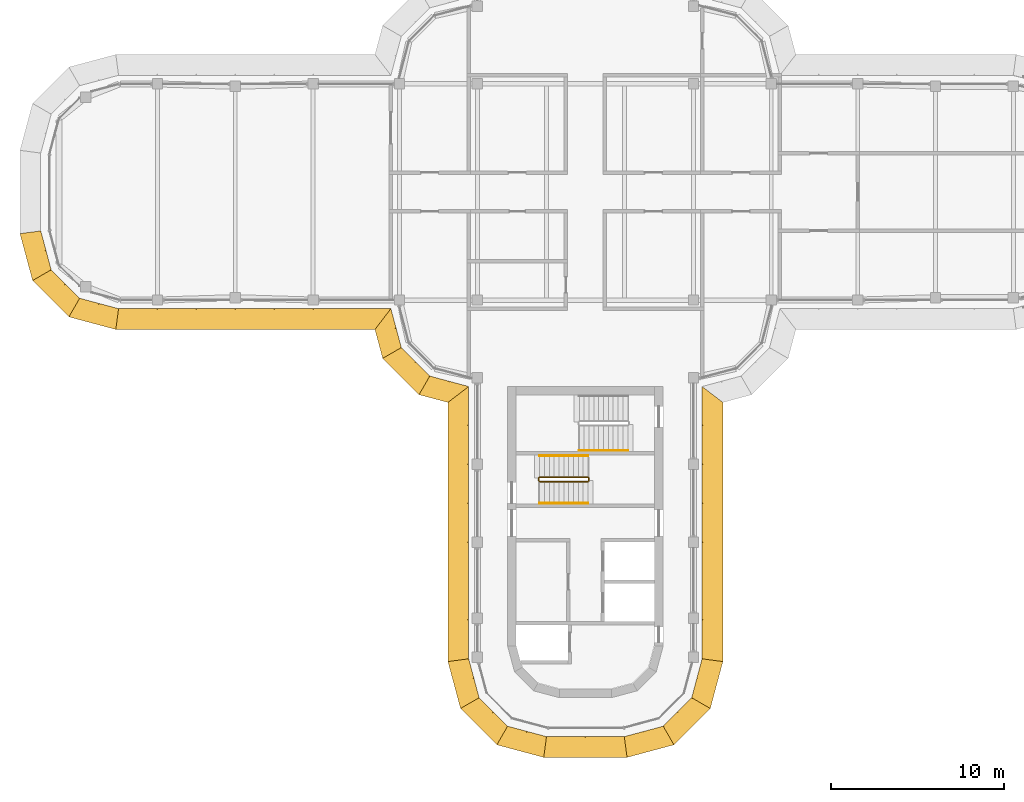
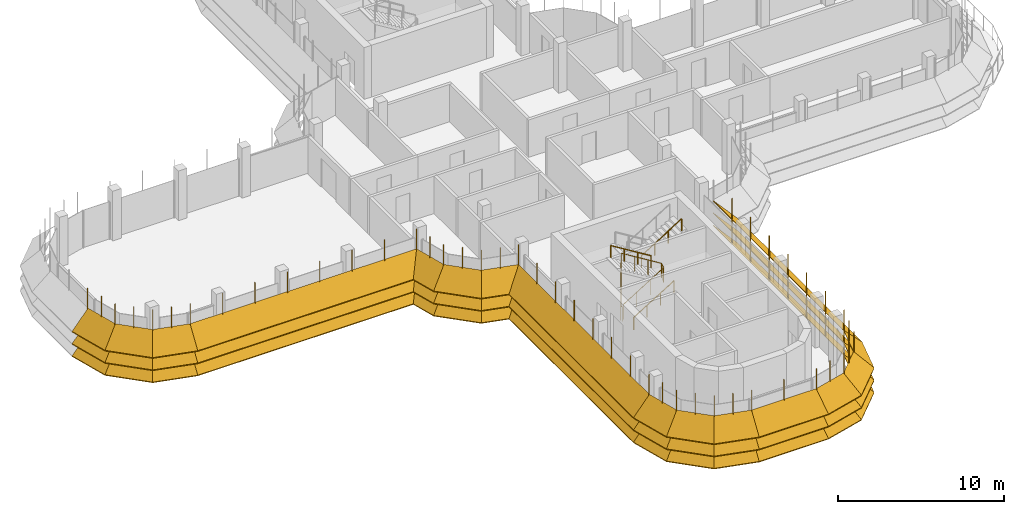
# One storey, part 17 of 20: 8 shading devices, 4 railings.
"""IFC4 building model written with IfcOpenShell, lengths in metres."""

from ifc_helpers import new_model, si_unit, direction, frame, origin, origin_2d, place, context, subcontext, project, spatial, polyline, circle, outline, extrude, faceted_brep, source, transform, mapped, material, type_object, element, save


model = new_model("IFC4")

# Units and contexts
model_context = context("Model", 3, precision=1e-05, world=origin(), true_north=direction((0.0, 1.0)))
body_context = subcontext(model_context, "Body", "Model", "MODEL_VIEW")
ifc_project = project(units=[si_unit("LENGTHUNIT", "METRE"), si_unit("AREAUNIT", "SQUARE_METRE"), si_unit("VOLUMEUNIT", "CUBIC_METRE"), si_unit("PLANEANGLEUNIT", "RADIAN"), si_unit("MASSUNIT", "GRAM", prefix="KILO")], contexts=[model_context])

# Site, building, storey
site_placement = place(None, origin())
site = spatial("IfcSite", under=ifc_project, at=site_placement, CompositionType="ELEMENT")
building_placement = place(site_placement, origin())
building = spatial("IfcBuilding", under=site, at=building_placement, Name="Zarbagh Exchange Tower", CompositionType="ELEMENT")
storey_placement = place(building_placement, frame((0.0, 0.0, 249.800048828125)))
storey = spatial("IfcBuildingStorey", under=building, at=storey_placement, Name="L61", CompositionType="ELEMENT", Elevation=249.800048828125)

# Railings
ifc_material_1 = material(Name="Stainless steel", Category="steel")
railing_type_1 = type_object("IfcRailingType", Name="Stair guard 1100 mm", PredefinedType="GUARDRAIL", material=ifc_material_1)
railing_1_placement = place(storey_placement, frame((-2.64990234375, -16.75, 0.172607421875)))
element("IfcRailing", 1, at=railing_1_placement, inside=storey, type_object=railing_type_1, Name="ST3 stair guard 1", PredefinedType="GUARDRAIL", context=body_context, shape_type="SweptSolid", body=[
    extrude(circle(Radius=0.02392578125, at=origin_2d()), frame((0.0, 0.0, 1.076171875), z_axis=(0.851069175582, 0.0, 0.525053576669), x_axis=(0.0, 1.0, 0.0)), (0.0, 0.0, 1.0), 3.289794921875),
    extrude(circle(Radius=0.02392578125, at=origin_2d()), frame((2.7998046875, 0.0, 2.80322265625), z_axis=(0.707106781187, 0.707106781187, 0.0), x_axis=(-0.707106781187, 0.707106781187, 0.0)), (0.0, 0.0, 1.0), 0.07080078125),
    extrude(circle(Radius=0.02392578125, at=origin_2d()), frame((2.849853515625, 0.050048828125, 2.80322265625), z_axis=(0.0, 1.0, 0.0), x_axis=(-1.0, 0.0, 0.0)), (0.0, 0.0, 1.0), 0.14990234375),
    extrude(circle(Radius=0.02392578125, at=origin_2d()), frame((2.849853515625, 0.199951171875, 2.80322265625), z_axis=(-0.267953482034, 0.267953482034, 0.925419830635), x_axis=(-0.707106781187, -0.707106781187, 0.0)), (0.0, 0.0, 1.0), 0.186767578125),
    extrude(circle(Radius=0.02392578125, at=origin_2d()), frame((2.7998046875, 0.25, 2.97607421875), z_axis=(-0.851069175582, 0.0, 0.525053576669), x_axis=(0.0, -1.0, 0.0)), (0.0, 0.0, 1.0), 3.289794921875),
    extrude(circle(Radius=0.02392578125, at=origin_2d()), frame((0.0, 0.25, 4.70361328125), z_axis=(-0.013168290981, -0.013168290981, -0.999826581076), x_axis=(0.707106781187, -0.707106781187, 0.0)), (0.0, 0.0, 1.0), 3.80078125),
    extrude(circle(Radius=0.02392578125, at=origin_2d()), frame((-0.050048828125, 0.199951171875, 0.9033203125), z_axis=(0.0, -1.0, 0.0), x_axis=(1.0, 0.0, 0.0)), (0.0, 0.0, 1.0), 0.14990234375),
    extrude(circle(Radius=0.02099609375, at=origin_2d()), origin(), (0.0, 0.0, 1.0), 1.052001953125),
    extrude(circle(Radius=0.02099609375, at=origin_2d()), frame((0.933349609375, 0.0, 0.57568359375)), (0.0, 0.0, 1.0), 1.052001953125),
    extrude(circle(Radius=0.02099609375, at=origin_2d()), frame((1.866455078125, 0.0, 1.151611328125)), (0.0, 0.0, 1.0), 1.052001953125),
    extrude(circle(Radius=0.02099609375, at=origin_2d()), frame((2.7998046875, 0.0, 1.727294921875)), (0.0, 0.0, 1.0), 1.052001953125),
    extrude(circle(Radius=0.02099609375, at=origin_2d()), frame((2.849853515625, 0.050048828125, 1.727294921875)), (0.0, 0.0, 1.0), 1.052001953125),
    extrude(circle(Radius=0.02099609375, at=origin_2d()), frame((2.849853515625, 0.199951171875, 1.727294921875)), (0.0, 0.0, 1.0), 1.052001953125),
    extrude(circle(Radius=0.02099609375, at=origin_2d()), frame((2.7998046875, 0.25, 1.900146484375)), (0.0, 0.0, 1.0), 1.052001953125),
    extrude(circle(Radius=0.02099609375, at=origin_2d()), frame((1.866455078125, 0.25, 2.475830078125)), (0.0, 0.0, 1.0), 1.052001953125),
    extrude(circle(Radius=0.02099609375, at=origin_2d()), frame((0.933349609375, 0.25, 3.0517578125)), (0.0, 0.0, 1.0), 1.052001953125),
    extrude(circle(Radius=0.02099609375, at=origin_2d()), frame((0.0, 0.25, 3.62744140625)), (0.0, 0.0, 1.0), 1.052001953125),
    extrude(circle(Radius=0.02099609375, at=origin_2d()), frame((-0.012451171875, 0.237548828125, 2.677490234375)), (0.0, 0.0, 1.0), 1.052001953125),
    extrude(circle(Radius=0.02099609375, at=origin_2d()), frame((-0.02490234375, 0.22509765625, 1.7275390625)), (0.0, 0.0, 1.0), 1.052001953125),
    extrude(circle(Radius=0.02099609375, at=origin_2d()), frame((-0.03759765625, 0.21240234375, 0.77734375)), (0.0, 0.0, 1.0), 1.052001953125),
    extrude(circle(Radius=0.02099609375, at=origin_2d()), frame((-0.050048828125, 0.199951171875, -0.172607421875)), (0.0, 0.0, 1.0), 1.052001953125),
    extrude(circle(Radius=0.02099609375, at=origin_2d()), frame((-0.050048828125, 0.050048828125, -0.172607421875)), (0.0, 0.0, 1.0), 1.052001953125),
])
railing_type_2 = type_object("IfcRailingType", Name="Stair handrail 900 mm", PredefinedType="HANDRAIL", material=ifc_material_1)
railing_2_placement = place(storey_placement, frame((-2.64990234375, -18.0, 0.172607421875)))
element("IfcRailing", 2, at=railing_2_placement, inside=storey, type_object=railing_type_2, Name="ST3 stair handrail 1", PredefinedType="HANDRAIL", context=body_context, shape_type="SweptSolid", body=[
    extrude(circle(Radius=0.02392578125, at=origin_2d()), frame((0.0, 0.0, 0.8759765625), z_axis=(0.851069175582, 0.0, 0.525053576669), x_axis=(0.0, 1.0, 0.0)), (0.0, 0.0, 1.0), 3.289794921875),
    extrude(circle(Radius=0.02099609375, at=origin_2d()), origin(), (0.0, 0.0, 1.0), 0.851806640625),
    extrude(circle(Radius=0.02099609375, at=origin_2d()), frame((0.933349609375, 0.0, 0.57568359375)), (0.0, 0.0, 1.0), 0.851806640625),
    extrude(circle(Radius=0.02099609375, at=origin_2d()), frame((1.866455078125, 0.0, 1.151611328125)), (0.0, 0.0, 1.0), 0.851806640625),
    extrude(circle(Radius=0.02099609375, at=origin_2d()), frame((2.7998046875, 0.0, 1.727294921875)), (0.0, 0.0, 1.0), 0.851806640625),
])
railing_3_placement = place(storey_placement, frame((0.14990234375, -15.25, 2.07275390625)))
element("IfcRailing", 3, at=railing_3_placement, inside=storey, type_object=railing_type_2, Name="ST3 stair handrail 2", PredefinedType="HANDRAIL", context=body_context, shape_type="SweptSolid", body=[
    extrude(circle(Radius=0.02392578125, at=origin_2d()), frame((0.0, 0.0, 0.8759765625), z_axis=(-0.851069175582, 0.0, 0.525053576669), x_axis=(0.0, -1.0, 0.0)), (0.0, 0.0, 1.0), 3.289794921875),
    extrude(circle(Radius=0.02099609375, at=origin_2d()), origin(), (0.0, 0.0, 1.0), 0.851806640625),
    extrude(circle(Radius=0.02099609375, at=origin_2d()), frame((-0.933349609375, 0.0, 0.57568359375)), (0.0, 0.0, 1.0), 0.851806640625),
    extrude(circle(Radius=0.02099609375, at=origin_2d()), frame((-1.866455078125, 0.0, 1.151611328125)), (0.0, 0.0, 1.0), 0.851806640625),
    extrude(circle(Radius=0.02099609375, at=origin_2d()), frame((-2.7998046875, 0.0, 1.727294921875)), (0.0, 0.0, 1.0), 0.851806640625),
])
railing_4_placement = place(storey_placement, frame((-0.35009765625, -14.949951171875, 2.07275390625)))
element("IfcRailing", 4, at=railing_4_placement, inside=storey, type_object=railing_type_2, Name="ST4 stair handrail 2", PredefinedType="HANDRAIL", context=body_context, shape_type="SweptSolid", body=[
    extrude(circle(Radius=0.02392578125, at=origin_2d()), frame((0.0, 0.0, 0.8759765625), z_axis=(0.851089632645, 0.0, 0.525020415988), x_axis=(0.0, 1.0, 0.0)), (0.0, 0.0, 1.0), 3.2900390625),
    extrude(circle(Radius=0.02099609375, at=origin_2d()), origin(), (0.0, 0.0, 1.0), 0.851806640625),
    extrude(circle(Radius=0.02099609375, at=origin_2d()), frame((0.933349609375, 0.0, 0.57568359375)), (0.0, 0.0, 1.0), 0.851806640625),
    extrude(circle(Radius=0.02099609375, at=origin_2d()), frame((1.86669921875, 0.0, 1.151611328125)), (0.0, 0.0, 1.0), 0.851806640625),
    extrude(circle(Radius=0.02099609375, at=origin_2d()), frame((2.800048828125, 0.0, 1.727294921875)), (0.0, 0.0, 1.0), 0.851806640625),
])

# Shading devices
ifc_material_2 = material(Name="Anodised aluminium blades and brackets", Category="aluminium")
shading_device_type = type_object("IfcShadingDeviceType", Name="SUNSHADE louvre band, 45 degree blades", PredefinedType="JALOUSIE", material=ifc_material_2)
shared_shape_1 = source(origin(), body_context, "Body", "Brep", [
    faceted_brep([(0.0, 0.0, 0.0), (0.0, 0.0, -0.056640625), (-0.157958984375, -1.199951171875, -1.256591796875), (-0.157958984375, -1.199951171875, -1.199951171875), (2.65087890625, -1.199951171875, -1.199951171875), (2.65087890625, -1.199951171875, -1.256591796875), (2.329345703125, 0.0, -0.056640625), (2.329345703125, 0.0, 0.0)], [[[0, 1, 2, 3]], [[4, 5, 6, 7]], [[0, 7, 6, 1]], [[1, 6, 5, 2]], [[2, 5, 4, 3]], [[3, 4, 7, 0]]]),
])
shared_shape_2 = source(origin(), body_context, "Body", "Brep", [
    faceted_brep([(0.0, 0.0, 0.0), (0.0, 0.0, -0.056640625), (-0.321533203125, -1.199951171875, -1.256591796875), (-0.321533203125, -1.199951171875, -1.199951171875), (2.65087890625, -1.199951171875, -1.199951171875), (2.65087890625, -1.199951171875, -1.256591796875), (2.329345703125, 0.0, -0.056640625), (2.329345703125, 0.0, 0.0)], [[[0, 1, 2, 3]], [[4, 5, 6, 7]], [[0, 7, 6, 1]], [[1, 6, 5, 2]], [[2, 5, 4, 3]], [[3, 4, 7, 0]]]),
])
shared_shape_3 = source(origin(), body_context, "Body", "Brep", [
    faceted_brep([(0.0, 0.0, 0.0), (0.0, 0.0, -0.056640625), (-0.321533203125, -1.199951171875, -1.256591796875), (-0.321533203125, -1.199951171875, -1.199951171875), (2.4873046875, -1.199951171875, -1.199951171875), (2.4873046875, -1.199951171875, -1.256591796875), (2.329345703125, 0.0, -0.056640625), (2.329345703125, 0.0, 0.0)], [[[0, 1, 2, 3]], [[4, 5, 6, 7]], [[0, 7, 6, 1]], [[1, 6, 5, 2]], [[2, 5, 4, 3]], [[3, 4, 7, 0]]]),
])
shared_shape_4 = source(origin(), body_context, "Body", "SweptSolid", [
    extrude(outline(polyline([(0.0, -0.012451171875), (0.06005859375, -0.012451171875), (0.06005859375, 0.012451171875), (0.0, 0.012451171875), (0.0, -0.012451171875)])), origin(), (0.0, 0.0, 1.0), 3.366455078125),
])
placement = place(storey_placement, origin())
element("IfcShadingDevice", 5, at=placement, inside=storey, type_object=shading_device_type, Name="SS35 sunshade band", PredefinedType="JALOUSIE", context=body_context, shape_type="MappedRepresentation", body=[
    mapped(shared_shape_1, transform((2.25, -31.5, 2.300048828125), x_axis=(0.965924289636, 0.258824779902, 0.0), y_axis=(-0.258824779902, 0.965924289636, 0.0), z_axis=(0.0, 0.0, 1.0))),
    mapped(shared_shape_1, transform((2.25, -31.5, 1.39990234375), x_axis=(0.965924289636, 0.258824779902, 0.0), y_axis=(-0.258824779902, 0.965924289636, 0.0), z_axis=(0.0, 0.0, 1.0))),
    mapped(shared_shape_1, transform((2.25, -31.5, 0.5), x_axis=(0.965924289636, 0.258824779902, 0.0), y_axis=(-0.258824779902, 0.965924289636, 0.0), z_axis=(0.0, 0.0, 1.0))),
    mapped(shared_shape_2, transform((4.5, -30.897216796875, 2.300048828125), x_axis=(0.707106781187, 0.707106781187, 0.0), y_axis=(-0.707106781187, 0.707106781187, 0.0), z_axis=(0.0, 0.0, 1.0))),
    mapped(shared_shape_2, transform((4.5, -30.897216796875, 1.39990234375), x_axis=(0.707106781187, 0.707106781187, 0.0), y_axis=(-0.707106781187, 0.707106781187, 0.0), z_axis=(0.0, 0.0, 1.0))),
    mapped(shared_shape_2, transform((4.5, -30.897216796875, 0.5), x_axis=(0.707106781187, 0.707106781187, 0.0), y_axis=(-0.707106781187, 0.707106781187, 0.0), z_axis=(0.0, 0.0, 1.0))),
    mapped(shared_shape_3, transform((6.147216796875, -29.25, 2.300048828125), x_axis=(0.258824779902, 0.965924289636, 0.0), y_axis=(-0.965924289636, 0.258824779902, 0.0), z_axis=(0.0, 0.0, 1.0))),
    mapped(shared_shape_3, transform((6.147216796875, -29.25, 1.39990234375), x_axis=(0.258824779902, 0.965924289636, 0.0), y_axis=(-0.965924289636, 0.258824779902, 0.0), z_axis=(0.0, 0.0, 1.0))),
    mapped(shared_shape_3, transform((6.147216796875, -29.25, 0.5), x_axis=(0.258824779902, 0.965924289636, 0.0), y_axis=(-0.965924289636, 0.258824779902, 0.0), z_axis=(0.0, 0.0, 1.0))),
    mapped(shared_shape_4, transform((2.25, -31.5, 0.413330078125), x_axis=(0.130529263012, -0.991444457092, 0.0), y_axis=(0.991444457092, 0.130529263012, 0.0), z_axis=(0.0, 0.0, 1.0))),
    mapped(shared_shape_4, transform((3.375, -31.198486328125, 0.413330078125), x_axis=(0.258825058029, -0.96592421511, 0.0), y_axis=(0.96592421511, 0.258825058029, 0.0), z_axis=(0.0, 0.0, 1.0))),
    mapped(shared_shape_4, transform((4.5, -30.897216796875, 0.413330078125), x_axis=(0.50000275701, -0.866023812018, 0.0), y_axis=(0.866023812018, 0.50000275701, 0.0), z_axis=(0.0, 0.0, 1.0))),
    mapped(shared_shape_4, transform((5.323486328125, -30.073486328125, 0.413330078125), x_axis=(0.707106781187, -0.707106781187, 0.0), y_axis=(0.707106781187, 0.707106781187, 0.0), z_axis=(0.0, 0.0, 1.0))),
    mapped(shared_shape_4, transform((6.147216796875, -29.25, 0.413330078125), x_axis=(0.866023812018, -0.50000275701, 0.0), y_axis=(0.50000275701, 0.866023812018, 0.0), z_axis=(0.0, 0.0, 1.0))),
    mapped(shared_shape_4, transform((6.448486328125, -28.125, 0.413330078125), x_axis=(0.96592421511, -0.258825058029, 0.0), y_axis=(0.258825058029, 0.96592421511, 0.0), z_axis=(0.0, 0.0, 1.0))),
])
element("IfcShadingDevice", 6, at=placement, inside=storey, type_object=shading_device_type, Name="SS43 sunshade band", PredefinedType="JALOUSIE", context=body_context, shape_type="MappedRepresentation", body=[
    mapped(shared_shape_1, transform((-31.5, -2.25, 2.300048828125), x_axis=(0.258824779902, -0.965924289636, 0.0), y_axis=(0.965924289636, 0.258824779902, 0.0), z_axis=(0.0, 0.0, 1.0))),
    mapped(shared_shape_1, transform((-31.5, -2.25, 1.39990234375), x_axis=(0.258824779902, -0.965924289636, 0.0), y_axis=(0.965924289636, 0.258824779902, 0.0), z_axis=(0.0, 0.0, 1.0))),
    mapped(shared_shape_1, transform((-31.5, -2.25, 0.5), x_axis=(0.258824779902, -0.965924289636, 0.0), y_axis=(0.965924289636, 0.258824779902, 0.0), z_axis=(0.0, 0.0, 1.0))),
    mapped(shared_shape_2, transform((-30.897216796875, -4.5, 2.300048828125), x_axis=(0.707106781187, -0.707106781187, 0.0), y_axis=(0.707106781187, 0.707106781187, 0.0), z_axis=(0.0, 0.0, 1.0))),
    mapped(shared_shape_2, transform((-30.897216796875, -4.5, 1.39990234375), x_axis=(0.707106781187, -0.707106781187, 0.0), y_axis=(0.707106781187, 0.707106781187, 0.0), z_axis=(0.0, 0.0, 1.0))),
    mapped(shared_shape_2, transform((-30.897216796875, -4.5, 0.5), x_axis=(0.707106781187, -0.707106781187, 0.0), y_axis=(0.707106781187, 0.707106781187, 0.0), z_axis=(0.0, 0.0, 1.0))),
    mapped(shared_shape_3, transform((-29.25, -6.147216796875, 2.300048828125), x_axis=(0.965924289636, -0.258824779902, 0.0), y_axis=(0.258824779902, 0.965924289636, 0.0), z_axis=(0.0, 0.0, 1.0))),
    mapped(shared_shape_3, transform((-29.25, -6.147216796875, 1.39990234375), x_axis=(0.965924289636, -0.258824779902, 0.0), y_axis=(0.258824779902, 0.965924289636, 0.0), z_axis=(0.0, 0.0, 1.0))),
    mapped(shared_shape_3, transform((-29.25, -6.147216796875, 0.5), x_axis=(0.965924289636, -0.258824779902, 0.0), y_axis=(0.258824779902, 0.965924289636, 0.0), z_axis=(0.0, 0.0, 1.0))),
    mapped(shared_shape_4, transform((-31.5, -2.25, 0.413330078125), x_axis=(-0.991444457092, -0.130529263012, 0.0), y_axis=(0.130529263012, -0.991444457092, 0.0), z_axis=(0.0, 0.0, 1.0))),
    mapped(shared_shape_4, transform((-31.198486328125, -3.375, 0.413330078125), x_axis=(-0.96592421511, -0.258825058029, 0.0), y_axis=(0.258825058029, -0.96592421511, 0.0), z_axis=(0.0, 0.0, 1.0))),
    mapped(shared_shape_4, transform((-30.897216796875, -4.5, 0.413330078125), x_axis=(-0.866023812018, -0.50000275701, 0.0), y_axis=(0.50000275701, -0.866023812018, 0.0), z_axis=(0.0, 0.0, 1.0))),
    mapped(shared_shape_4, transform((-30.073486328125, -5.323486328125, 0.413330078125), x_axis=(-0.707106781187, -0.707106781187, 0.0), y_axis=(0.707106781187, -0.707106781187, 0.0), z_axis=(0.0, 0.0, 1.0))),
    mapped(shared_shape_4, transform((-29.25, -6.147216796875, 0.413330078125), x_axis=(-0.50000275701, -0.866023812018, 0.0), y_axis=(0.866023812018, -0.50000275701, 0.0), z_axis=(0.0, 0.0, 1.0))),
    mapped(shared_shape_4, transform((-28.125, -6.448486328125, 0.413330078125), x_axis=(-0.258825058029, -0.96592421511, 0.0), y_axis=(0.96592421511, -0.258825058029, 0.0), z_axis=(0.0, 0.0, 1.0))),
])
element("IfcShadingDevice", 7, at=placement, inside=storey, type_object=shading_device_type, Name="SS38 sunshade band", PredefinedType="JALOUSIE", context=body_context, shape_type="MappedRepresentation", body=[
    mapped(shared_shape_1, transform((-6.75, -27.0, 2.300048828125), x_axis=(0.258824779902, -0.965924289636, 0.0), y_axis=(0.965924289636, 0.258824779902, 0.0), z_axis=(0.0, 0.0, 1.0))),
    mapped(shared_shape_1, transform((-6.75, -27.0, 1.39990234375), x_axis=(0.258824779902, -0.965924289636, 0.0), y_axis=(0.965924289636, 0.258824779902, 0.0), z_axis=(0.0, 0.0, 1.0))),
    mapped(shared_shape_1, transform((-6.75, -27.0, 0.5), x_axis=(0.258824779902, -0.965924289636, 0.0), y_axis=(0.965924289636, 0.258824779902, 0.0), z_axis=(0.0, 0.0, 1.0))),
    mapped(shared_shape_2, transform((-6.147216796875, -29.25, 2.300048828125), x_axis=(0.707106781187, -0.707106781187, 0.0), y_axis=(0.707106781187, 0.707106781187, 0.0), z_axis=(0.0, 0.0, 1.0))),
    mapped(shared_shape_2, transform((-6.147216796875, -29.25, 1.39990234375), x_axis=(0.707106781187, -0.707106781187, 0.0), y_axis=(0.707106781187, 0.707106781187, 0.0), z_axis=(0.0, 0.0, 1.0))),
    mapped(shared_shape_2, transform((-6.147216796875, -29.25, 0.5), x_axis=(0.707106781187, -0.707106781187, 0.0), y_axis=(0.707106781187, 0.707106781187, 0.0), z_axis=(0.0, 0.0, 1.0))),
    mapped(shared_shape_3, transform((-4.5, -30.897216796875, 2.300048828125), x_axis=(0.965924289636, -0.258824779902, 0.0), y_axis=(0.258824779902, 0.965924289636, 0.0), z_axis=(0.0, 0.0, 1.0))),
    mapped(shared_shape_3, transform((-4.5, -30.897216796875, 1.39990234375), x_axis=(0.965924289636, -0.258824779902, 0.0), y_axis=(0.258824779902, 0.965924289636, 0.0), z_axis=(0.0, 0.0, 1.0))),
    mapped(shared_shape_3, transform((-4.5, -30.897216796875, 0.5), x_axis=(0.965924289636, -0.258824779902, 0.0), y_axis=(0.258824779902, 0.965924289636, 0.0), z_axis=(0.0, 0.0, 1.0))),
    mapped(shared_shape_4, transform((-6.75, -27.0, 0.413330078125), x_axis=(-0.991444457092, -0.130529263012, 0.0), y_axis=(0.130529263012, -0.991444457092, 0.0), z_axis=(0.0, 0.0, 1.0))),
    mapped(shared_shape_4, transform((-6.448486328125, -28.125, 0.413330078125), x_axis=(-0.96592421511, -0.258825058029, 0.0), y_axis=(0.258825058029, -0.96592421511, 0.0), z_axis=(0.0, 0.0, 1.0))),
    mapped(shared_shape_4, transform((-6.147216796875, -29.25, 0.413330078125), x_axis=(-0.866023812018, -0.50000275701, 0.0), y_axis=(0.50000275701, -0.866023812018, 0.0), z_axis=(0.0, 0.0, 1.0))),
    mapped(shared_shape_4, transform((-5.323486328125, -30.073486328125, 0.413330078125), x_axis=(-0.707106781187, -0.707106781187, 0.0), y_axis=(0.707106781187, -0.707106781187, 0.0), z_axis=(0.0, 0.0, 1.0))),
    mapped(shared_shape_4, transform((-4.5, -30.897216796875, 0.413330078125), x_axis=(-0.50000275701, -0.866023812018, 0.0), y_axis=(0.866023812018, -0.50000275701, 0.0), z_axis=(0.0, 0.0, 1.0))),
    mapped(shared_shape_4, transform((-3.375, -31.198486328125, 0.413330078125), x_axis=(-0.258825058029, -0.96592421511, 0.0), y_axis=(0.96592421511, -0.258825058029, 0.0), z_axis=(0.0, 0.0, 1.0))),
])
shared_shape_5 = source(origin(), body_context, "Body", "Brep", [
    faceted_brep([(0.0, 0.0, 0.0), (0.0, 0.0, -0.056640625), (0.9208984375, -1.199951171875, -1.256591796875), (0.9208984375, -1.199951171875, -1.199951171875), (2.65087890625, -1.199951171875, -1.199951171875), (2.65087890625, -1.199951171875, -1.256591796875), (2.329345703125, 0.0, -0.056640625), (2.329345703125, 0.0, 0.0)], [[[0, 1, 2, 3]], [[4, 5, 6, 7]], [[0, 7, 6, 1]], [[1, 6, 5, 2]], [[2, 5, 4, 3]], [[3, 4, 7, 0]]]),
])
shared_shape_6 = source(origin(), body_context, "Body", "Brep", [
    faceted_brep([(0.0, 0.0, 0.0), (0.0, 0.0, -0.056640625), (-0.321533203125, -1.199951171875, -1.256591796875), (-0.321533203125, -1.199951171875, -1.199951171875), (1.40869140625, -1.199951171875, -1.199951171875), (1.40869140625, -1.199951171875, -1.256591796875), (2.329345703125, 0.0, -0.056640625), (2.329345703125, 0.0, 0.0)], [[[0, 1, 2, 3]], [[4, 5, 6, 7]], [[0, 7, 6, 1]], [[1, 6, 5, 2]], [[2, 5, 4, 3]], [[3, 4, 7, 0]]]),
])
element("IfcShadingDevice", 8, at=placement, inside=storey, type_object=shading_device_type, Name="SS21 sunshade band", PredefinedType="JALOUSIE", context=body_context, shape_type="MappedRepresentation", body=[
    mapped(shared_shape_5, transform((-11.25, -6.75, 2.300048828125), x_axis=(0.258824779902, -0.965924289636, 0.0), y_axis=(0.965924289636, 0.258824779902, 0.0), z_axis=(0.0, 0.0, 1.0))),
    mapped(shared_shape_5, transform((-11.25, -6.75, 1.39990234375), x_axis=(0.258824779902, -0.965924289636, 0.0), y_axis=(0.965924289636, 0.258824779902, 0.0), z_axis=(0.0, 0.0, 1.0))),
    mapped(shared_shape_5, transform((-11.25, -6.75, 0.5), x_axis=(0.258824779902, -0.965924289636, 0.0), y_axis=(0.965924289636, 0.258824779902, 0.0), z_axis=(0.0, 0.0, 1.0))),
    mapped(shared_shape_2, transform((-10.647216796875, -9.0, 2.300048828125), x_axis=(0.707106781187, -0.707106781187, 0.0), y_axis=(0.707106781187, 0.707106781187, 0.0), z_axis=(0.0, 0.0, 1.0))),
    mapped(shared_shape_2, transform((-10.647216796875, -9.0, 1.39990234375), x_axis=(0.707106781187, -0.707106781187, 0.0), y_axis=(0.707106781187, 0.707106781187, 0.0), z_axis=(0.0, 0.0, 1.0))),
    mapped(shared_shape_2, transform((-10.647216796875, -9.0, 0.5), x_axis=(0.707106781187, -0.707106781187, 0.0), y_axis=(0.707106781187, 0.707106781187, 0.0), z_axis=(0.0, 0.0, 1.0))),
    mapped(shared_shape_6, transform((-9.0, -10.647216796875, 2.300048828125), x_axis=(0.965924289636, -0.258824779902, 0.0), y_axis=(0.258824779902, 0.965924289636, 0.0), z_axis=(0.0, 0.0, 1.0))),
    mapped(shared_shape_6, transform((-9.0, -10.647216796875, 1.39990234375), x_axis=(0.965924289636, -0.258824779902, 0.0), y_axis=(0.258824779902, 0.965924289636, 0.0), z_axis=(0.0, 0.0, 1.0))),
    mapped(shared_shape_6, transform((-9.0, -10.647216796875, 0.5), x_axis=(0.965924289636, -0.258824779902, 0.0), y_axis=(0.258824779902, 0.965924289636, 0.0), z_axis=(0.0, 0.0, 1.0))),
    mapped(shared_shape_4, transform((-11.25, -6.75, 0.413330078125), x_axis=(-0.608758892, -0.793355287, 0.0), y_axis=(0.793355287, -0.608758892, 0.0), z_axis=(0.0, 0.0, 1.0))),
    mapped(shared_shape_4, transform((-10.948486328125, -7.875, 0.413330078125), x_axis=(-0.96592421511, -0.258825058029, 0.0), y_axis=(0.258825058029, -0.96592421511, 0.0), z_axis=(0.0, 0.0, 1.0))),
    mapped(shared_shape_4, transform((-10.647216796875, -9.0, 0.413330078125), x_axis=(-0.866023812018, -0.50000275701, 0.0), y_axis=(0.50000275701, -0.866023812018, 0.0), z_axis=(0.0, 0.0, 1.0))),
    mapped(shared_shape_4, transform((-9.823486328125, -9.823486328125, 0.413330078125), x_axis=(-0.707106781187, -0.707106781187, 0.0), y_axis=(0.707106781187, -0.707106781187, 0.0), z_axis=(0.0, 0.0, 1.0))),
    mapped(shared_shape_4, transform((-9.0, -10.647216796875, 0.413330078125), x_axis=(-0.50000275701, -0.866023812018, 0.0), y_axis=(0.866023812018, -0.50000275701, 0.0), z_axis=(0.0, 0.0, 1.0))),
    mapped(shared_shape_4, transform((-7.875, -10.948486328125, 0.413330078125), x_axis=(-0.258825058029, -0.96592421511, 0.0), y_axis=(0.96592421511, -0.258825058029, 0.0), z_axis=(0.0, 0.0, 1.0))),
])
shared_shape_7 = source(origin(), body_context, "Body", "Brep", [
    faceted_brep([(0.0, 0.0, 0.0), (0.0, 0.0, -0.056640625), (-0.157958984375, -1.199951171875, -1.256591796875), (-0.157958984375, -1.199951171875, -1.199951171875), (14.8291015625, -1.199951171875, -1.199951171875), (14.8291015625, -1.199951171875, -1.256591796875), (15.75, 0.0, -0.056640625), (15.75, 0.0, 0.0)], [[[0, 1, 2, 3]], [[4, 5, 6, 7]], [[0, 7, 6, 1]], [[1, 6, 5, 2]], [[2, 5, 4, 3]], [[3, 4, 7, 0]]]),
])
element("IfcShadingDevice", 9, at=placement, inside=storey, type_object=shading_device_type, Name="SS36 sunshade band", PredefinedType="JALOUSIE", context=body_context, shape_type="MappedRepresentation", body=[
    mapped(shared_shape_7, transform((6.75, -27.0, 2.300048828125), x_axis=(0.0, 1.0, 0.0), y_axis=(-1.0, 0.0, 0.0), z_axis=(0.0, 0.0, 1.0))),
    mapped(shared_shape_7, transform((6.75, -27.0, 1.39990234375), x_axis=(0.0, 1.0, 0.0), y_axis=(-1.0, 0.0, 0.0), z_axis=(0.0, 0.0, 1.0))),
    mapped(shared_shape_7, transform((6.75, -27.0, 0.5), x_axis=(0.0, 1.0, 0.0), y_axis=(-1.0, 0.0, 0.0), z_axis=(0.0, 0.0, 1.0))),
    mapped(shared_shape_4, transform((6.75, -27.0, 0.413330078125), x_axis=(0.991444457092, -0.130529263012, 0.0), y_axis=(0.130529263012, 0.991444457092, 0.0), z_axis=(0.0, 0.0, 1.0))),
    mapped(shared_shape_4, transform((6.75, -24.75, 0.413330078125), x_axis=(1.0, 0.0, 0.0), y_axis=(0.0, 1.0, 0.0), z_axis=(0.0, 0.0, 1.0))),
    mapped(shared_shape_4, transform((6.75, -22.5, 0.413330078125), x_axis=(1.0, 0.0, 0.0), y_axis=(0.0, 1.0, 0.0), z_axis=(0.0, 0.0, 1.0))),
    mapped(shared_shape_4, transform((6.75, -20.25, 0.413330078125), x_axis=(1.0, 0.0, 0.0), y_axis=(0.0, 1.0, 0.0), z_axis=(0.0, 0.0, 1.0))),
    mapped(shared_shape_4, transform((6.75, -18.0, 0.413330078125), x_axis=(1.0, 0.0, 0.0), y_axis=(0.0, 1.0, 0.0), z_axis=(0.0, 0.0, 1.0))),
    mapped(shared_shape_4, transform((6.75, -15.75, 0.413330078125), x_axis=(1.0, 0.0, 0.0), y_axis=(0.0, 1.0, 0.0), z_axis=(0.0, 0.0, 1.0))),
    mapped(shared_shape_4, transform((6.75, -13.5, 0.413330078125), x_axis=(1.0, 0.0, 0.0), y_axis=(0.0, 1.0, 0.0), z_axis=(0.0, 0.0, 1.0))),
])
element("IfcShadingDevice", 10, at=placement, inside=storey, type_object=shading_device_type, Name="SS44 sunshade band", PredefinedType="JALOUSIE", context=body_context, shape_type="MappedRepresentation", body=[
    mapped(shared_shape_7, transform((-27.0, -6.75, 2.300048828125), x_axis=(1.0, 0.0, 0.0), y_axis=(0.0, 1.0, 0.0), z_axis=(0.0, 0.0, 1.0))),
    mapped(shared_shape_7, transform((-27.0, -6.75, 1.39990234375), x_axis=(1.0, 0.0, 0.0), y_axis=(0.0, 1.0, 0.0), z_axis=(0.0, 0.0, 1.0))),
    mapped(shared_shape_7, transform((-27.0, -6.75, 0.5), x_axis=(1.0, 0.0, 0.0), y_axis=(0.0, 1.0, 0.0), z_axis=(0.0, 0.0, 1.0))),
    mapped(shared_shape_4, transform((-27.0, -6.75, 0.413330078125), x_axis=(-0.130529263012, -0.991444457092, 0.0), y_axis=(0.991444457092, -0.130529263012, 0.0), z_axis=(0.0, 0.0, 1.0))),
    mapped(shared_shape_4, transform((-24.75, -6.75, 0.413330078125), x_axis=(0.0, -1.0, 0.0), y_axis=(1.0, 0.0, 0.0), z_axis=(0.0, 0.0, 1.0))),
    mapped(shared_shape_4, transform((-22.5, -6.75, 0.413330078125), x_axis=(0.0, -1.0, 0.0), y_axis=(1.0, 0.0, 0.0), z_axis=(0.0, 0.0, 1.0))),
    mapped(shared_shape_4, transform((-20.25, -6.75, 0.413330078125), x_axis=(0.0, -1.0, 0.0), y_axis=(1.0, 0.0, 0.0), z_axis=(0.0, 0.0, 1.0))),
    mapped(shared_shape_4, transform((-18.0, -6.75, 0.413330078125), x_axis=(0.0, -1.0, 0.0), y_axis=(1.0, 0.0, 0.0), z_axis=(0.0, 0.0, 1.0))),
    mapped(shared_shape_4, transform((-15.75, -6.75, 0.413330078125), x_axis=(0.0, -1.0, 0.0), y_axis=(1.0, 0.0, 0.0), z_axis=(0.0, 0.0, 1.0))),
    mapped(shared_shape_4, transform((-13.5, -6.75, 0.413330078125), x_axis=(0.0, -1.0, 0.0), y_axis=(1.0, 0.0, 0.0), z_axis=(0.0, 0.0, 1.0))),
])
shared_shape_8 = source(origin(), body_context, "Body", "Brep", [
    faceted_brep([(0.0, 0.0, 0.0), (0.0, 0.0, -0.056640625), (0.9208984375, -1.199951171875, -1.256591796875), (0.9208984375, -1.199951171875, -1.199951171875), (15.907958984375, -1.199951171875, -1.199951171875), (15.907958984375, -1.199951171875, -1.256591796875), (15.75, 0.0, -0.056640625), (15.75, 0.0, 0.0)], [[[0, 1, 2, 3]], [[4, 5, 6, 7]], [[0, 7, 6, 1]], [[1, 6, 5, 2]], [[2, 5, 4, 3]], [[3, 4, 7, 0]]]),
])
element("IfcShadingDevice", 11, at=placement, inside=storey, type_object=shading_device_type, Name="SS37 sunshade band", PredefinedType="JALOUSIE", context=body_context, shape_type="MappedRepresentation", body=[
    mapped(shared_shape_8, transform((-6.75, -11.25, 2.300048828125), x_axis=(0.0, -1.0, 0.0), y_axis=(1.0, 0.0, 0.0), z_axis=(0.0, 0.0, 1.0))),
    mapped(shared_shape_8, transform((-6.75, -11.25, 1.39990234375), x_axis=(0.0, -1.0, 0.0), y_axis=(1.0, 0.0, 0.0), z_axis=(0.0, 0.0, 1.0))),
    mapped(shared_shape_8, transform((-6.75, -11.25, 0.5), x_axis=(0.0, -1.0, 0.0), y_axis=(1.0, 0.0, 0.0), z_axis=(0.0, 0.0, 1.0))),
    mapped(shared_shape_4, transform((-6.75, -11.25, 0.413330078125), x_axis=(-0.793355287, -0.608758892, 0.0), y_axis=(0.608758892, -0.793355287, 0.0), z_axis=(0.0, 0.0, 1.0))),
    mapped(shared_shape_4, transform((-6.75, -13.5, 0.413330078125), x_axis=(-1.0, 0.0, 0.0), y_axis=(0.0, -1.0, 0.0), z_axis=(0.0, 0.0, 1.0))),
    mapped(shared_shape_4, transform((-6.75, -15.75, 0.413330078125), x_axis=(-1.0, 0.0, 0.0), y_axis=(0.0, -1.0, 0.0), z_axis=(0.0, 0.0, 1.0))),
    mapped(shared_shape_4, transform((-6.75, -18.0, 0.413330078125), x_axis=(-1.0, 0.0, 0.0), y_axis=(0.0, -1.0, 0.0), z_axis=(0.0, 0.0, 1.0))),
    mapped(shared_shape_4, transform((-6.75, -20.25, 0.413330078125), x_axis=(-1.0, 0.0, 0.0), y_axis=(0.0, -1.0, 0.0), z_axis=(0.0, 0.0, 1.0))),
    mapped(shared_shape_4, transform((-6.75, -22.5, 0.413330078125), x_axis=(-1.0, 0.0, 0.0), y_axis=(0.0, -1.0, 0.0), z_axis=(0.0, 0.0, 1.0))),
    mapped(shared_shape_4, transform((-6.75, -24.75, 0.413330078125), x_axis=(-1.0, 0.0, 0.0), y_axis=(0.0, -1.0, 0.0), z_axis=(0.0, 0.0, 1.0))),
])
shared_shape_9 = source(origin(), body_context, "Body", "Brep", [
    faceted_brep([(0.0, 0.0, 0.0), (0.0, 0.0, -0.056640625), (-0.157958984375, -1.199951171875, -1.256591796875), (-0.157958984375, -1.199951171875, -1.199951171875), (4.657958984375, -1.199951171875, -1.199951171875), (4.657958984375, -1.199951171875, -1.256591796875), (4.5, 0.0, -0.056640625), (4.5, 0.0, 0.0)], [[[0, 1, 2, 3]], [[4, 5, 6, 7]], [[0, 7, 6, 1]], [[1, 6, 5, 2]], [[2, 5, 4, 3]], [[3, 4, 7, 0]]]),
])
element("IfcShadingDevice", 12, at=placement, inside=storey, type_object=shading_device_type, Name="SS39 sunshade band", PredefinedType="JALOUSIE", context=body_context, shape_type="MappedRepresentation", body=[
    mapped(shared_shape_9, transform((-2.25, -31.5, 2.300048828125), x_axis=(1.0, 0.0, 0.0), y_axis=(0.0, 1.0, 0.0), z_axis=(0.0, 0.0, 1.0))),
    mapped(shared_shape_9, transform((-2.25, -31.5, 1.39990234375), x_axis=(1.0, 0.0, 0.0), y_axis=(0.0, 1.0, 0.0), z_axis=(0.0, 0.0, 1.0))),
    mapped(shared_shape_9, transform((-2.25, -31.5, 0.5), x_axis=(1.0, 0.0, 0.0), y_axis=(0.0, 1.0, 0.0), z_axis=(0.0, 0.0, 1.0))),
    mapped(shared_shape_4, transform((-2.25, -31.5, 0.413330078125), x_axis=(-0.130529263012, -0.991444457092, 0.0), y_axis=(0.991444457092, -0.130529263012, 0.0), z_axis=(0.0, 0.0, 1.0))),
    mapped(shared_shape_4, transform((0.0, -31.5, 0.413330078125), x_axis=(0.0, -1.0, 0.0), y_axis=(1.0, 0.0, 0.0), z_axis=(0.0, 0.0, 1.0))),
])

save(model, "model.ifc")
